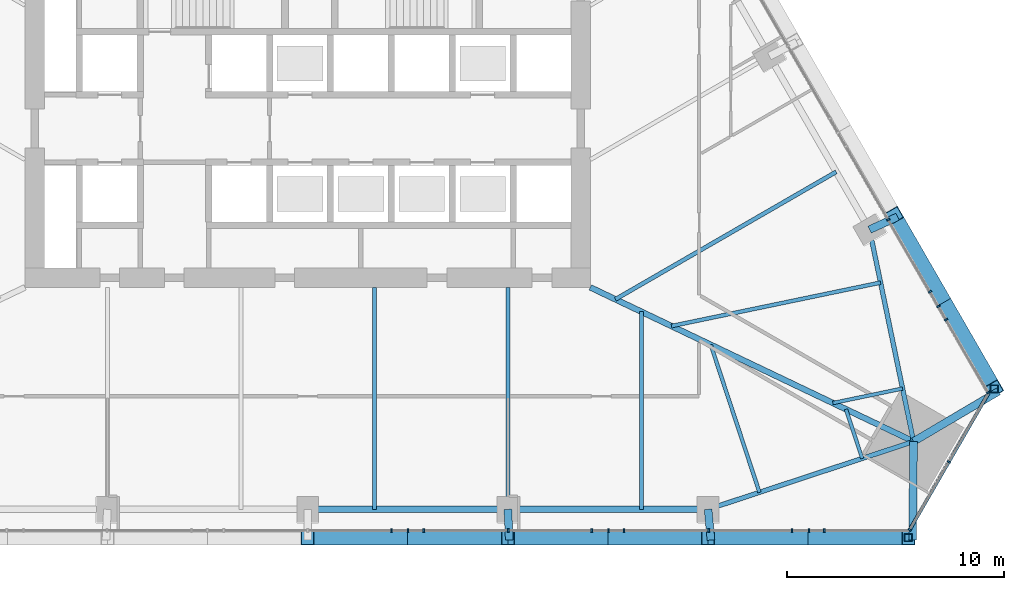
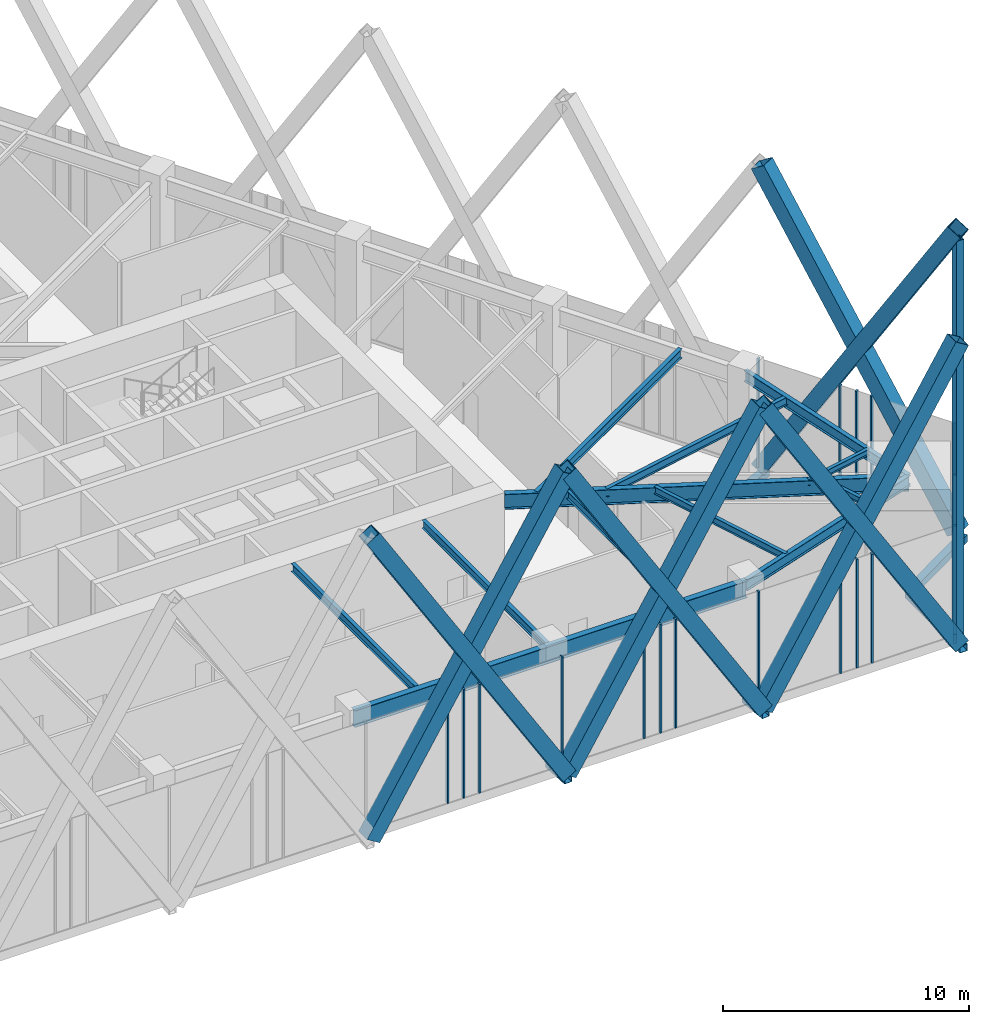
# One storey, part 6 of 21: 34 members, 12 beams, 3 elements without a shape of their own.
"""IFC4 building model written with IfcOpenShell, lengths in metres."""

from ifc_helpers import new_model, si_unit, direction, frame, origin, origin_2d, place, context, subcontext, project, spatial, rectangle, hollow_rectangle, i_section, extrude, material, layer, layer_set, material_profile, profile_set, type_object, element, aggregate, save


model = new_model("IFC4")

# Units and contexts
model_context = context("Model", 3, precision=1e-05, world=origin(), true_north=direction((0.0, 1.0)))
body_context = subcontext(model_context, "Body", "Model", "MODEL_VIEW")
ifc_project = project(units=[si_unit("LENGTHUNIT", "METRE"), si_unit("AREAUNIT", "SQUARE_METRE"), si_unit("VOLUMEUNIT", "CUBIC_METRE"), si_unit("PLANEANGLEUNIT", "RADIAN"), si_unit("MASSUNIT", "GRAM", prefix="KILO")], contexts=[model_context])

# Site, building, storey
site_placement = place(None, origin())
site = spatial("IfcSite", under=ifc_project, at=site_placement, CompositionType="ELEMENT")
building_placement = place(site_placement, origin())
building = spatial("IfcBuilding", under=site, at=building_placement, Name="Firuza Gate Tower and Library", CompositionType="ELEMENT")
storey_placement = place(building_placement, frame((0.0, 0.0, 140.800048828125)))
storey = spatial("IfcBuildingStorey", under=building, at=storey_placement, Name="L32", CompositionType="ELEMENT", Elevation=140.800048828125)

# Members
ifc_material_1 = material(Name="Steel S355", Category="steel")
ifc_material_profile_1 = material_profile(ifc_material_1, hollow_rectangle(XDim=0.699951171875, YDim=0.699951171875, WallThickness=0.030029296875, at=origin_2d()))
ifc_profile_set_1 = profile_set([ifc_material_profile_1], Name="Steel S355")
member_type_1 = type_object("IfcMemberType", Name="BU700x700x30 Lattice brace", PredefinedType="BRACE", material=ifc_profile_set_1)
for number, where, z_axis, x_axis, name in (
    (1, (75.0, 54.49658203125, 0.0), (0.523108742125, 0.0, 0.852265946705), (0.0, 1.0, 0.0), "Lattice brace S 7.4R"),
    (2, (84.206787109375, 54.49658203125, 0.0), (-0.523108742125, 0.0, 0.852265946705), (0.0, -1.0, 0.0), "Lattice brace S 7.4L"),
    (3, (84.206787109375, 54.49658203125, 0.0), (0.523108742125, 0.0, 0.852265946705), (0.0, 1.0, 0.0), "Lattice brace S 7.5R"),
    (4, (93.41357421875, 54.49658203125, 0.0), (-0.523108742125, 0.0, 0.852265946705), (0.0, -1.0, 0.0), "Lattice brace S 7.5L"),
    (5, (93.41357421875, 54.49658203125, 0.0), (0.523098666339, 0.0, 0.852272130997), (0.0, 1.0, 0.0), "Lattice brace S 7.6R"),
    (6, (102.6201171875, 54.49658203125, 0.0), (-0.523098666339, 0.0, 0.852272130997), (0.0, -1.0, 0.0), "Lattice brace S 7.6L"),
    (7, (106.566650390625, 61.33203125, 0.0), (-0.261549033997, 0.453018740507, 0.852271156126), (-0.866026610508, -0.499997909888, 0.0), "Lattice brace E 7.1R"),
    (8, (101.96337890625, 69.30517578125, 0.0), (0.261549033997, -0.453018740507, 0.852271156126), (0.866026610508, 0.499997909888, 0.0), "Lattice brace E 7.1L"),
):
    element("IfcMember", number, at=place(storey_placement, frame(where, z_axis=z_axis, x_axis=x_axis)), inside=storey, type_object=member_type_1, Name=name, PredefinedType="BRACE", context=body_context, shape_type="SweptSolid", body=[
        extrude(hollow_rectangle(XDim=0.699951171875, YDim=0.699951171875, WallThickness=0.030029296875, at=origin_2d()), origin(), (0.0, 0.0, 1.0), 17.60009765625),
    ])

# Curtain wall, members
ifc_material_2 = material(Name="Aluminium 6063-T6", Category="aluminium")
ifc_layer_1 = layer(ifc_material_2, 0.14990234375)
ifc_layer_set_1 = layer_set([ifc_layer_1], Name="Unitised curtain wall, offices")
curtain_wall_type_1 = type_object("IfcCurtainWallType", Name="Unitised curtain wall, offices", PredefinedType="NOTDEFINED", material=ifc_layer_set_1)
placement = place(storey_placement, origin())
curtain_wall_1 = element("IfcCurtainWall", 9, at=placement, inside=storey, type_object=curtain_wall_type_1, Name="CW1 L32 S face", PredefinedType="NOTDEFINED")
ifc_material_3 = material(Name="Aluminium 6063-T6", Category="aluminium")
ifc_material_profile_2 = material_profile(ifc_material_3, rectangle(XDim=0.14990234375, YDim=0.080078125, at=origin_2d()))
ifc_profile_set_2 = profile_set([ifc_material_profile_2], Name="Aluminium 6063-T6")
member_type_2 = type_object("IfcMemberType", Name="Curtain wall mullion 80x150", PredefinedType="MULLION", material=ifc_profile_set_2)
member_1_placement = place(storey_placement, frame((79.610595703125, 54.821533203125, 0.14990234375), z_axis=(0.0, 0.0, 1.0), x_axis=(0.0, 1.0, 0.0)))
member_1 = element("IfcMember", 10, at=member_1_placement, type_object=member_type_2, Name="Mullion", PredefinedType="MULLION", context=body_context, shape_type="SweptSolid", body=[
    extrude(rectangle(XDim=0.14990234375, YDim=0.080078125, at=origin_2d()), origin(), (0.0, 0.0, 1.0), 5.400146484375),
])
member_2_placement = place(storey_placement, frame((84.22119140625, 54.821533203125, 0.14990234375), z_axis=(0.0, 0.0, 1.0), x_axis=(0.0, 1.0, 0.0)))
member_2 = element("IfcMember", 11, at=member_2_placement, type_object=member_type_2, Name="Mullion", PredefinedType="MULLION", context=body_context, shape_type="SweptSolid", body=[
    extrude(rectangle(XDim=0.14990234375, YDim=0.080078125, at=origin_2d()), origin(), (0.0, 0.0, 1.0), 5.400146484375),
])
member_3_placement = place(storey_placement, frame((88.831787109375, 54.821533203125, 0.14990234375), z_axis=(0.0, 0.0, 1.0), x_axis=(0.0, 1.0, 0.0)))
member_3 = element("IfcMember", 12, at=member_3_placement, type_object=member_type_2, Name="Mullion", PredefinedType="MULLION", context=body_context, shape_type="SweptSolid", body=[
    extrude(rectangle(XDim=0.14990234375, YDim=0.080078125, at=origin_2d()), origin(), (0.0, 0.0, 1.0), 5.400146484375),
])
member_4_placement = place(storey_placement, frame((93.4423828125, 54.821533203125, 0.14990234375), z_axis=(0.0, 0.0, 1.0), x_axis=(0.0, 1.0, 0.0)))
member_4 = element("IfcMember", 13, at=member_4_placement, type_object=member_type_2, Name="Mullion", PredefinedType="MULLION", context=body_context, shape_type="SweptSolid", body=[
    extrude(rectangle(XDim=0.14990234375, YDim=0.080078125, at=origin_2d()), origin(), (0.0, 0.0, 1.0), 5.400146484375),
])
member_5_placement = place(storey_placement, frame((98.052978515625, 54.821533203125, 0.14990234375), z_axis=(0.0, 0.0, 1.0), x_axis=(0.0, 1.0, 0.0)))
member_5 = element("IfcMember", 14, at=member_5_placement, type_object=member_type_2, Name="Mullion", PredefinedType="MULLION", context=body_context, shape_type="SweptSolid", body=[
    extrude(rectangle(XDim=0.14990234375, YDim=0.080078125, at=origin_2d()), origin(), (0.0, 0.0, 1.0), 5.400146484375),
])
member_6_placement = place(storey_placement, frame((78.862060546875, 54.821533203125, 0.14990234375), z_axis=(0.0, 0.0, 1.0), x_axis=(0.0, 1.0, 0.0)))
member_6 = element("IfcMember", 15, at=member_6_placement, type_object=member_type_2, Name="Mullion", PredefinedType="MULLION", context=body_context, shape_type="SweptSolid", body=[
    extrude(rectangle(XDim=0.14990234375, YDim=0.080078125, at=origin_2d()), origin(), (0.0, 0.0, 1.0), 5.400146484375),
])
member_7_placement = place(storey_placement, frame((80.344482421875, 54.821533203125, 0.14990234375), z_axis=(0.0, 0.0, 1.0), x_axis=(0.0, 1.0, 0.0)))
member_7 = element("IfcMember", 16, at=member_7_placement, type_object=member_type_2, Name="Mullion", PredefinedType="MULLION", context=body_context, shape_type="SweptSolid", body=[
    extrude(rectangle(XDim=0.14990234375, YDim=0.080078125, at=origin_2d()), origin(), (0.0, 0.0, 1.0), 5.400146484375),
])
member_8_placement = place(storey_placement, frame((88.06884765625, 54.821533203125, 0.14990234375), z_axis=(0.0, 0.0, 1.0), x_axis=(0.0, 1.0, 0.0)))
member_8 = element("IfcMember", 17, at=member_8_placement, type_object=member_type_2, Name="Mullion", PredefinedType="MULLION", context=body_context, shape_type="SweptSolid", body=[
    extrude(rectangle(XDim=0.14990234375, YDim=0.080078125, at=origin_2d()), origin(), (0.0, 0.0, 1.0), 5.400146484375),
])
member_9_placement = place(storey_placement, frame((89.55126953125, 54.821533203125, 0.14990234375), z_axis=(0.0, 0.0, 1.0), x_axis=(0.0, 1.0, 0.0)))
member_9 = element("IfcMember", 18, at=member_9_placement, type_object=member_type_2, Name="Mullion", PredefinedType="MULLION", context=body_context, shape_type="SweptSolid", body=[
    extrude(rectangle(XDim=0.14990234375, YDim=0.080078125, at=origin_2d()), origin(), (0.0, 0.0, 1.0), 5.400146484375),
])
member_10_placement = place(storey_placement, frame((97.275634765625, 54.821533203125, 0.14990234375), z_axis=(0.0, 0.0, 1.0), x_axis=(0.0, 1.0, 0.0)))
member_10 = element("IfcMember", 19, at=member_10_placement, type_object=member_type_2, Name="Mullion", PredefinedType="MULLION", context=body_context, shape_type="SweptSolid", body=[
    extrude(rectangle(XDim=0.14990234375, YDim=0.080078125, at=origin_2d()), origin(), (0.0, 0.0, 1.0), 5.400146484375),
])
member_11_placement = place(storey_placement, frame((98.758056640625, 54.821533203125, 0.14990234375), z_axis=(0.0, 0.0, 1.0), x_axis=(0.0, 1.0, 0.0)))
member_11 = element("IfcMember", 20, at=member_11_placement, type_object=member_type_2, Name="Mullion", PredefinedType="MULLION", context=body_context, shape_type="SweptSolid", body=[
    extrude(rectangle(XDim=0.14990234375, YDim=0.080078125, at=origin_2d()), origin(), (0.0, 0.0, 1.0), 5.400146484375),
])
aggregate(curtain_wall_1, [member_1, member_2, member_3, member_4, member_5, member_6, member_7, member_8, member_9, member_10, member_11])

ifc_material_4 = material(Name="Aluminium 6063-T6", Category="aluminium")
ifc_layer_2 = layer(ifc_material_4, 0.14990234375)
ifc_layer_set_2 = layer_set([ifc_layer_2], Name="Corner curtain wall, chamfers")
curtain_wall_type_2 = type_object("IfcCurtainWallType", Name="Corner curtain wall, chamfers", PredefinedType="NOTDEFINED", material=ifc_layer_set_2)
curtain_wall_2 = element("IfcCurtainWall", 21, at=placement, inside=storey, type_object=curtain_wall_type_2, Name="CW4 L32 SE corner", PredefinedType="NOTDEFINED")
member_12_placement = place(storey_placement, frame((102.68359375, 54.856201171875, 0.14990234375), z_axis=(0.0, 0.0, 1.0), x_axis=(-0.866025403784, 0.5, 0.0)))
member_12 = element("IfcMember", 22, at=member_12_placement, type_object=member_type_2, Name="Mullion", PredefinedType="MULLION", context=body_context, shape_type="SweptSolid", body=[
    extrude(rectangle(XDim=0.14990234375, YDim=0.080078125, at=origin_2d()), origin(), (0.0, 0.0, 1.0), 5.400146484375),
])
member_13_placement = place(storey_placement, frame((104.485107421875, 57.976806640625, 0.14990234375), z_axis=(0.0, 0.0, 1.0), x_axis=(-0.866025403784, 0.5, 0.0)))
member_13 = element("IfcMember", 23, at=member_13_placement, type_object=member_type_2, Name="Mullion", PredefinedType="MULLION", context=body_context, shape_type="SweptSolid", body=[
    extrude(rectangle(XDim=0.14990234375, YDim=0.080078125, at=origin_2d()), origin(), (0.0, 0.0, 1.0), 5.400146484375),
])

curtain_wall_3 = element("IfcCurtainWall", 24, at=placement, inside=storey, type_object=curtain_wall_type_1, Name="CW1 L32 E face", PredefinedType="NOTDEFINED")
member_14_placement = place(storey_placement, frame((106.286865234375, 61.16650390625, 0.14990234375), z_axis=(0.0, 0.0, 1.0), x_axis=(-0.866025403784, -0.5, 0.0)))
member_14 = element("IfcMember", 25, at=member_14_placement, type_object=member_type_2, Name="Mullion", PredefinedType="MULLION", context=body_context, shape_type="SweptSolid", body=[
    extrude(rectangle(XDim=0.14990234375, YDim=0.080078125, at=origin_2d()), origin(), (0.0, 0.0, 1.0), 5.400146484375),
])
member_15_placement = place(storey_placement, frame((104.00146484375, 65.124755859375, 0.14990234375), z_axis=(0.0, 0.0, 1.0), x_axis=(-0.866025403784, -0.5, 0.0)))
member_15 = element("IfcMember", 26, at=member_15_placement, type_object=member_type_2, Name="Mullion", PredefinedType="MULLION", context=body_context, shape_type="SweptSolid", body=[
    extrude(rectangle(XDim=0.14990234375, YDim=0.080078125, at=origin_2d()), origin(), (0.0, 0.0, 1.0), 5.400146484375),
])
member_16_placement = place(storey_placement, frame((101.6962890625, 69.11767578125, 0.14990234375), z_axis=(0.0, 0.0, 1.0), x_axis=(-0.866025403784, -0.5, 0.0)))
member_16 = element("IfcMember", 27, at=member_16_placement, type_object=member_type_2, Name="Mullion", PredefinedType="MULLION", context=body_context, shape_type="SweptSolid", body=[
    extrude(rectangle(XDim=0.14990234375, YDim=0.080078125, at=origin_2d()), origin(), (0.0, 0.0, 1.0), 5.400146484375),
])
member_17_placement = place(storey_placement, frame((104.35400390625, 64.51416015625, 0.14990234375), z_axis=(0.0, 0.0, 1.0), x_axis=(-0.866025403784, -0.5, 0.0)))
member_17 = element("IfcMember", 28, at=member_17_placement, type_object=member_type_2, Name="Mullion", PredefinedType="MULLION", context=body_context, shape_type="SweptSolid", body=[
    extrude(rectangle(XDim=0.14990234375, YDim=0.080078125, at=origin_2d()), origin(), (0.0, 0.0, 1.0), 5.400146484375),
])
member_18_placement = place(storey_placement, frame((103.61279296875, 65.7978515625, 0.14990234375), z_axis=(0.0, 0.0, 1.0), x_axis=(-0.866025403784, -0.5, 0.0)))
member_18 = element("IfcMember", 29, at=member_18_placement, type_object=member_type_2, Name="Mullion", PredefinedType="MULLION", context=body_context, shape_type="SweptSolid", body=[
    extrude(rectangle(XDim=0.14990234375, YDim=0.080078125, at=origin_2d()), origin(), (0.0, 0.0, 1.0), 5.400146484375),
])
aggregate(curtain_wall_3, [member_14, member_15, member_16, member_17, member_18])

# Member
ifc_material_5 = material(Name="Aluminium 6063-T6", Category="aluminium")
ifc_material_profile_3 = material_profile(ifc_material_5, rectangle(XDim=0.14990234375, YDim=0.449951171875, at=origin_2d()))
ifc_profile_set_3 = profile_set([ifc_material_profile_3], Name="Aluminium 6063-T6")
member_type_3 = type_object("IfcMemberType", Name="Curtain wall transom 450x150", PredefinedType="USERDEFINED", material=ifc_profile_set_3)
member_19_placement = place(storey_placement, frame((102.66357421875, 54.821533203125, -0.074951171875), z_axis=(0.500005719219, 0.866022101766, 0.0), x_axis=(-0.866022101766, 0.500005719219, 0.0)))
member_19 = element("IfcMember", 30, at=member_19_placement, type_object=member_type_3, Name="Transom", ObjectType="TRANSOM", PredefinedType="USERDEFINED", context=body_context, shape_type="SweptSolid", body=[
    extrude(rectangle(XDim=0.14990234375, YDim=0.449951171875, at=origin_2d()), origin(), (0.0, 0.0, 1.0), 7.28662109375),
])

aggregate(curtain_wall_2, [member_12, member_13, member_19])

# Members
ifc_material_6 = material(Name="Steel S355", Category="steel")
ifc_material_profile_4 = material_profile(ifc_material_6, hollow_rectangle(XDim=0.355712890625, YDim=0.355712890625, WallThickness=0.014892578125, at=origin_2d()))
ifc_profile_set_4 = profile_set([ifc_material_profile_4], Name="Steel S355")
member_type_4 = type_object("IfcMemberType", Name="HSS356x356x16 Lattice corner stile", PredefinedType="BRACE", material=ifc_profile_set_4)
for number, where, z_axis, x_axis, name in (
    (31, (102.6201171875, 54.49658203125, -0.14013671875), (0.0, 0.0, 1.0), (1.0, 0.0, 0.0), "Lattice corner stile S 7.B"),
    (32, (106.566650390625, 61.33203125, -0.14013671875), (0.0, 0.0, 1.0), (1.0, 0.0, 0.0), "Lattice corner stile E 7.A"),
):
    element("IfcMember", number, at=place(storey_placement, frame(where, z_axis=z_axis, x_axis=x_axis)), inside=storey, type_object=member_type_4, Name=name, PredefinedType="BRACE", context=body_context, shape_type="SweptSolid", body=[
        extrude(hollow_rectangle(XDim=0.355712890625, YDim=0.355712890625, WallThickness=0.014892578125, at=origin_2d()), origin(), (0.0, 0.0, 1.0), 14.64013671875),
    ])
ifc_material_7 = material(Name="Steel S355", Category="steel")
ifc_material_profile_5 = material_profile(ifc_material_7, hollow_rectangle(XDim=0.355712890625, YDim=0.355712890625, WallThickness=0.014892578125, at=origin_2d()))
ifc_profile_set_5 = profile_set([ifc_material_profile_5], Name="Steel S355")
member_type_5 = type_object("IfcMemberType", Name="HSS356x356x16 Lattice node tie", PredefinedType="BRACE", material=ifc_profile_set_5)
member_20_placement = place(storey_placement, frame((100.83740234375, 68.6552734375, -0.320068359375), z_axis=(0.908502204446, 0.417880059966, 0.0), x_axis=(-0.417880059966, 0.908502204446, 0.0)))
element("IfcMember", 33, at=member_20_placement, inside=storey, type_object=member_type_5, Name="Lattice node tie E L32 132", PredefinedType="BRACE", context=body_context, shape_type="SweptSolid", body=[
    extrude(hollow_rectangle(XDim=0.355712890625, YDim=0.355712890625, WallThickness=0.014892578125, at=origin_2d()), origin(), (0.0, 0.0, 1.0), 1.419677734375),
])
member_21_placement = place(storey_placement, frame((102.861328125, 58.914306640625, -0.320068359375), z_axis=(0.861065933124, 0.508493322289, 0.0), x_axis=(-0.508493322289, 0.861065933124, 0.0)))
element("IfcMember", 34, at=member_21_placement, inside=storey, type_object=member_type_5, Name="Lattice node tie E L32 133", PredefinedType="BRACE", context=body_context, shape_type="SweptSolid", body=[
    extrude(hollow_rectangle(XDim=0.355712890625, YDim=0.355712890625, WallThickness=0.014892578125, at=origin_2d()), origin(), (0.0, 0.0, 1.0), 4.531494140625),
])
member_22_placement = place(storey_placement, frame((84.206787109375, 55.796630859375, -0.320068359375), z_axis=(0.046237197067, -0.998930488877, 0.0), x_axis=(0.998930488877, 0.046237197067, 0.0)))
element("IfcMember", 35, at=member_22_placement, inside=storey, type_object=member_type_5, Name="Lattice node tie S L32 138", PredefinedType="BRACE", context=body_context, shape_type="SweptSolid", body=[
    extrude(hollow_rectangle(XDim=0.355712890625, YDim=0.355712890625, WallThickness=0.014892578125, at=origin_2d()), origin(), (0.0, 0.0, 1.0), 1.4150390625),
])
member_23_placement = place(storey_placement, frame((93.41357421875, 55.796630859375, -0.320068359375), z_axis=(0.092349775402, -0.99572662864, 0.0), x_axis=(0.99572662864, 0.092349775402, 0.0)))
element("IfcMember", 36, at=member_23_placement, inside=storey, type_object=member_type_5, Name="Lattice node tie S L32 139", PredefinedType="BRACE", context=body_context, shape_type="SweptSolid", body=[
    extrude(hollow_rectangle(XDim=0.355712890625, YDim=0.355712890625, WallThickness=0.014892578125, at=origin_2d()), origin(), (0.0, 0.0, 1.0), 1.419677734375),
])
member_24_placement = place(storey_placement, frame((102.861328125, 58.914306640625, -0.320068359375), z_axis=(-0.009805563051, -0.999951924311, 0.0), x_axis=(0.999951924311, -0.009805563051, 0.0)))
element("IfcMember", 37, at=member_24_placement, inside=storey, type_object=member_type_5, Name="Lattice node tie S L32 140", PredefinedType="BRACE", context=body_context, shape_type="SweptSolid", body=[
    extrude(hollow_rectangle(XDim=0.355712890625, YDim=0.355712890625, WallThickness=0.014892578125, at=origin_2d()), origin(), (0.0, 0.0, 1.0), 4.531494140625),
])

# Beams
ifc_material_8 = material(Name="Steel S355", Category="steel")
ifc_material_profile_6 = material_profile(ifc_material_8, i_section(OverallWidth=0.1650390625, OverallDepth=0.31005859375, WebThickness=0.005859375, FlangeThickness=0.009765625, at=origin_2d()))
ifc_profile_set_6 = profile_set([ifc_material_profile_6], Name="Steel S355")
beam_type_1 = type_object("IfcBeamType", Name="W310x39 Floor beam", PredefinedType="JOIST", material=ifc_profile_set_6)
beam_1_placement = place(storey_placement, frame((100.49951171875, 58.134765625, 5.39501953125), z_axis=(-0.313396868635, 0.949622242121, 0.0), x_axis=(-0.949622242121, -0.313396868635, 0.0)))
element("IfcBeam", 38, at=beam_1_placement, inside=storey, type_object=beam_type_1, Name="Floor beam L32 s31", PredefinedType="JOIST", context=body_context, shape_type="SweptSolid", body=[
    extrude(i_section(OverallWidth=0.1650390625, OverallDepth=0.31005859375, WebThickness=0.005859375, FlangeThickness=0.009765625, at=origin_2d()), origin(), (0.0, 0.0, 1.0), 2.38134765625),
])
beam_2_placement = place(storey_placement, frame((102.35546875, 61.349365234375, 5.39501953125), z_axis=(-0.979099383783, -0.203382390279, 0.0), x_axis=(0.203382390279, -0.979099383783, 0.0)))
element("IfcBeam", 39, at=beam_2_placement, inside=storey, type_object=beam_type_1, Name="Floor beam L32 s40", PredefinedType="JOIST", context=body_context, shape_type="SweptSolid", body=[
    extrude(i_section(OverallWidth=0.1650390625, OverallDepth=0.31005859375, WebThickness=0.005859375, FlangeThickness=0.009765625, at=origin_2d()), origin(), (0.0, 0.0, 1.0), 3.2734375),
])
ifc_material_9 = material(Name="Steel S355", Category="steel")
ifc_material_profile_7 = material_profile(ifc_material_9, i_section(OverallWidth=0.1708984375, OverallDepth=0.35498046875, WebThickness=0.007080078125, FlangeThickness=0.01171875, at=origin_2d()))
ifc_profile_set_7 = profile_set([ifc_material_profile_7], Name="Steel S355")
beam_type_2 = type_object("IfcBeamType", Name="W360x51 Floor beam", PredefinedType="JOIST", material=ifc_profile_set_7)
beam_3_placement = place(storey_placement, frame((95.775390625, 56.575927734375, 5.37255859375), z_axis=(-0.313345402972, 0.94963922541, 0.0), x_axis=(-0.94963922541, -0.313345402972, 0.0)))
element("IfcBeam", 40, at=beam_3_placement, inside=storey, type_object=beam_type_2, Name="Floor beam L32 s30", PredefinedType="JOIST", context=body_context, shape_type="SweptSolid", body=[
    extrude(i_section(OverallWidth=0.1708984375, OverallDepth=0.35498046875, WebThickness=0.007080078125, FlangeThickness=0.01171875, at=origin_2d()), origin(), (0.0, 0.0, 1.0), 7.14404296875),
])
ifc_material_10 = material(Name="Steel S355", Category="steel")
ifc_material_profile_8 = material_profile(ifc_material_10, i_section(OverallWidth=0.177978515625, OverallDepth=0.406982421875, WebThickness=0.0078125, FlangeThickness=0.0126953125, at=origin_2d()))
ifc_profile_set_8 = profile_set([ifc_material_profile_8], Name="Steel S355")
beam_type_3 = type_object("IfcBeamType", Name="W410x60 Floor beam", PredefinedType="JOIST", material=ifc_profile_set_8)
for number, where, z_axis, x_axis, name in (
    (41, (78.06884765625, 55.796630859375, 5.346435546875), (0.0, 1.0, 0.0), (-1.0, 0.0, 0.0), "Floor beam L32 s23"),
    (42, (84.206787109375, 55.796630859375, 5.346435546875), (0.0, 1.0, 0.0), (-1.0, 0.0, 0.0), "Floor beam L32 s24"),
):
    element("IfcBeam", number, at=place(storey_placement, frame(where, z_axis=z_axis, x_axis=x_axis)), inside=storey, type_object=beam_type_3, Name=name, PredefinedType="JOIST", context=body_context, shape_type="SweptSolid", body=[
        extrude(i_section(OverallWidth=0.177978515625, OverallDepth=0.406982421875, WebThickness=0.0078125, FlangeThickness=0.0126953125, at=origin_2d()), origin(), (0.0, 0.0, 1.0), 10.203369140625),
    ])
beam_4_placement = place(storey_placement, frame((90.344482421875, 55.796630859375, 5.346435546875), z_axis=(0.0, 1.0, 0.0), x_axis=(-1.0, 0.0, 0.0)))
element("IfcBeam", 43, at=beam_4_placement, inside=storey, type_object=beam_type_3, Name="Floor beam L32 s25", PredefinedType="JOIST", context=body_context, shape_type="SweptSolid", body=[
    extrude(i_section(OverallWidth=0.177978515625, OverallDepth=0.406982421875, WebThickness=0.0078125, FlangeThickness=0.0126953125, at=origin_2d()), origin(), (0.0, 0.0, 1.0), 9.08544921875),
])
beam_5_placement = place(storey_placement, frame((101.343505859375, 66.219970703125, 5.346435546875), z_axis=(-0.979087424009, -0.203439957104, 0.0), x_axis=(0.203439957104, -0.979087424009, 0.0)))
element("IfcBeam", 44, at=beam_5_placement, inside=storey, type_object=beam_type_3, Name="Floor beam L32 s41", PredefinedType="JOIST", context=body_context, shape_type="SweptSolid", body=[
    extrude(i_section(OverallWidth=0.177978515625, OverallDepth=0.406982421875, WebThickness=0.0078125, FlangeThickness=0.0126953125, at=origin_2d()), origin(), (0.0, 0.0, 1.0), 9.820068359375),
])
ifc_material_11 = material(Name="Steel S355", Category="steel")
ifc_material_profile_9 = material_profile(ifc_material_11, i_section(OverallWidth=0.18994140625, OverallDepth=0.45703125, WebThickness=0.009033203125, FlangeThickness=0.014404296875, at=origin_2d()))
ifc_profile_set_9 = profile_set([ifc_material_profile_9], Name="Steel S355")
beam_type_4 = type_object("IfcBeamType", Name="W460x74 Floor beam", PredefinedType="JOIST", material=ifc_profile_set_9)
beam_6_placement = place(storey_placement, frame((99.302978515625, 71.31298828125, 5.321533203125), z_axis=(-0.866021197775, -0.500007284951, 0.0), x_axis=(0.500007284951, -0.866021197775, 0.0)))
element("IfcBeam", 45, at=beam_6_placement, inside=storey, type_object=beam_type_4, Name="Floor beam L32 s50", PredefinedType="JOIST", context=body_context, shape_type="SweptSolid", body=[
    extrude(i_section(OverallWidth=0.18994140625, OverallDepth=0.45703125, WebThickness=0.009033203125, FlangeThickness=0.014404296875, at=origin_2d()), origin(), (0.0, 0.0, 1.0), 11.722900390625),
])
ifc_material_12 = material(Name="Steel S355", Category="steel")
ifc_material_profile_10 = material_profile(ifc_material_12, i_section(OverallWidth=0.212890625, OverallDepth=0.5390625, WebThickness=0.01171875, FlangeThickness=0.018798828125, at=origin_2d()))
ifc_profile_set_10 = profile_set([ifc_material_profile_10], Name="Steel S355")
beam_type_5 = type_object("IfcBeamType", Name="W530x109 Edge beam", PredefinedType="SPANDREL", material=ifc_profile_set_10)
for number, where, z_axis, x_axis, name in (
    (46, (93.41357421875, 55.796630859375, 5.280517578125), (0.949631132017, 0.313369930122, 0.0), (-0.313369930122, 0.949631132017, 0.0), "Edge beam L32 e30"),
    (47, (102.861328125, 58.914306640625, 5.280517578125), (-0.203429959783, 0.979089501252, 0.0), (-0.979089501252, -0.203429959783, 0.0), "Edge beam L32 e40"),
):
    element("IfcBeam", number, at=place(storey_placement, frame(where, z_axis=z_axis, x_axis=x_axis)), inside=storey, type_object=beam_type_5, Name=name, PredefinedType="SPANDREL", context=body_context, shape_type="SweptSolid", body=[
        extrude(i_section(OverallWidth=0.212890625, OverallDepth=0.5390625, WebThickness=0.01171875, FlangeThickness=0.018798828125, at=origin_2d()), origin(), (0.0, 0.0, 1.0), 9.948974609375),
    ])
ifc_material_13 = material(Name="Steel S355", Category="steel")
ifc_material_profile_11 = material_profile(ifc_material_13, i_section(OverallWidth=0.264892578125, OverallDepth=0.7529296875, WebThickness=0.01318359375, FlangeThickness=0.01708984375, at=origin_2d()))
ifc_profile_set_11 = profile_set([ifc_material_profile_11], Name="Steel S355")
beam_type_6 = type_object("IfcBeamType", Name="W760x147 Girder", PredefinedType="BEAM", material=ifc_profile_set_11)
beam_7_placement = place(storey_placement, frame((102.861328125, 58.914306640625, 5.17333984375), z_axis=(-0.90265127557, 0.430372716041, 0.0), x_axis=(-0.430372716041, -0.90265127557, 0.0)))
element("IfcBeam", 48, at=beam_7_placement, inside=storey, type_object=beam_type_6, Name="Girder L32 gSE", PredefinedType="BEAM", context=body_context, shape_type="SweptSolid", body=[
    extrude(i_section(OverallWidth=0.264892578125, OverallDepth=0.7529296875, WebThickness=0.01318359375, FlangeThickness=0.01708984375, at=origin_2d()), origin(), (0.0, 0.0, 1.0), 16.464111328125),
])
ifc_material_14 = material(Name="Steel S355", Category="steel")
ifc_material_profile_12 = material_profile(ifc_material_14, i_section(OverallWidth=0.2919921875, OverallDepth=0.8349609375, WebThickness=0.013916015625, FlangeThickness=0.018798828125, at=origin_2d()))
ifc_profile_set_12 = profile_set([ifc_material_profile_12], Name="Steel S355")
beam_type_7 = type_object("IfcBeamType", Name="W840x176 Edge beam", PredefinedType="SPANDREL", material=ifc_profile_set_12)
beam_8_placement = place(storey_placement, frame((75.0, 55.796630859375, 5.132568359375), z_axis=(1.0, 0.0, 0.0), x_axis=(0.0, 1.0, 0.0)))
element("IfcBeam", 49, at=beam_8_placement, inside=storey, type_object=beam_type_7, Name="Edge beam L32 e22", PredefinedType="SPANDREL", context=body_context, shape_type="SweptSolid", body=[
    extrude(i_section(OverallWidth=0.2919921875, OverallDepth=0.8349609375, WebThickness=0.013916015625, FlangeThickness=0.018798828125, at=origin_2d()), origin(), (0.0, 0.0, 1.0), 18.41357421875),
])

save(model, "model.ifc")
